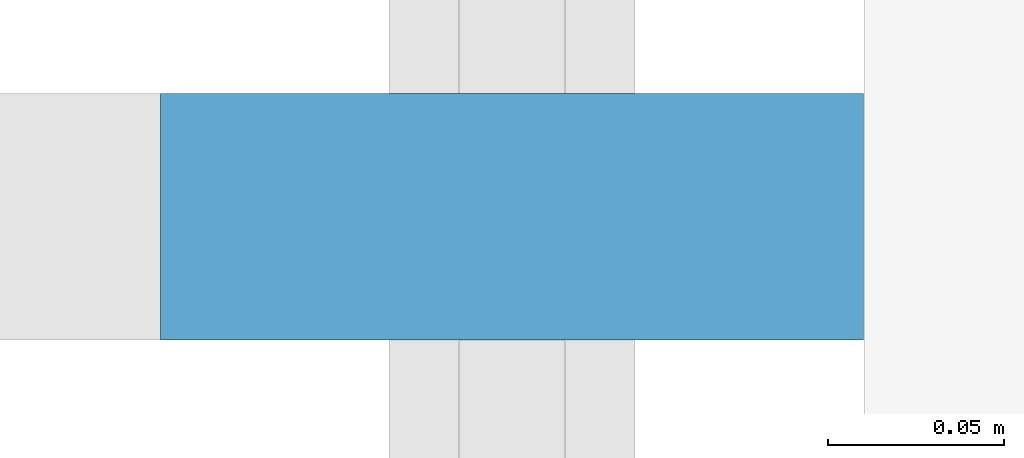
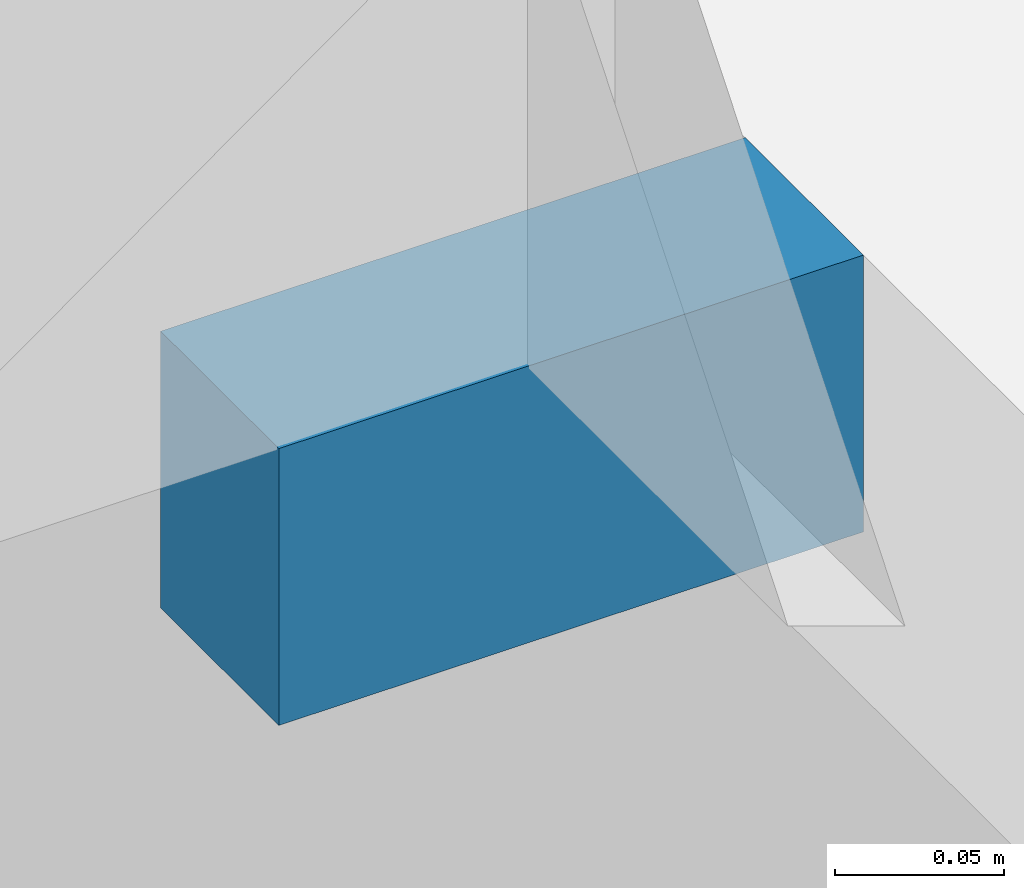
# One storey, part 12 of 16: 1 discrete accessory.
"""IFC4 building model written with IfcOpenShell, lengths in metres."""

from ifc_helpers import new_model, si_unit, direction, frame, origin, origin_2d, place, context, subcontext, project, spatial, rectangle, extrude, element, save


model = new_model("IFC4")

# Units and contexts
model_context = context("Model", 3, precision=1e-05, world=origin(), true_north=direction((0.0, 1.0)))
body_context = subcontext(model_context, "Body", "Model", "MODEL_VIEW")
ifc_project = project(units=[si_unit("LENGTHUNIT", "METRE"), si_unit("AREAUNIT", "SQUARE_METRE"), si_unit("VOLUMEUNIT", "CUBIC_METRE"), si_unit("PLANEANGLEUNIT", "RADIAN"), si_unit("MASSUNIT", "GRAM", prefix="KILO")], contexts=[model_context])

# Site, building, storey
site_placement = place(None, origin())
site = spatial("IfcSite", under=ifc_project, at=site_placement, CompositionType="ELEMENT")
building_placement = place(site_placement, origin())
building = spatial("IfcBuilding", under=site, at=building_placement, Name="Daluyong Arena Tower", CompositionType="ELEMENT")
storey_placement = place(building_placement, frame((0.0, 0.0, 235.89990234375)))
storey = spatial("IfcBuildingStorey", under=building, at=storey_placement, Name="L53", CompositionType="ELEMENT", Elevation=235.89990234375)

# Discrete accessory
discrete_accessory_placement = place(storey_placement, frame((34.25, 87.386474609375, -0.099853515625), z_axis=(0.0, 0.0, 1.0), x_axis=(0.0, -1.0, 0.0)))
element("IfcDiscreteAccessory", 1, at=discrete_accessory_placement, inside=storey, Name="curtain wall L53 W anchor bracket 4", PredefinedType="BRACKET", context=body_context, shape_type="SweptSolid", body=[
    extrude(rectangle(XDim=0.070068359375, YDim=0.199951171875, at=origin_2d()), origin(), (0.0, 0.0, 1.0), 0.10009765625),
])

save(model, "model.ifc")
